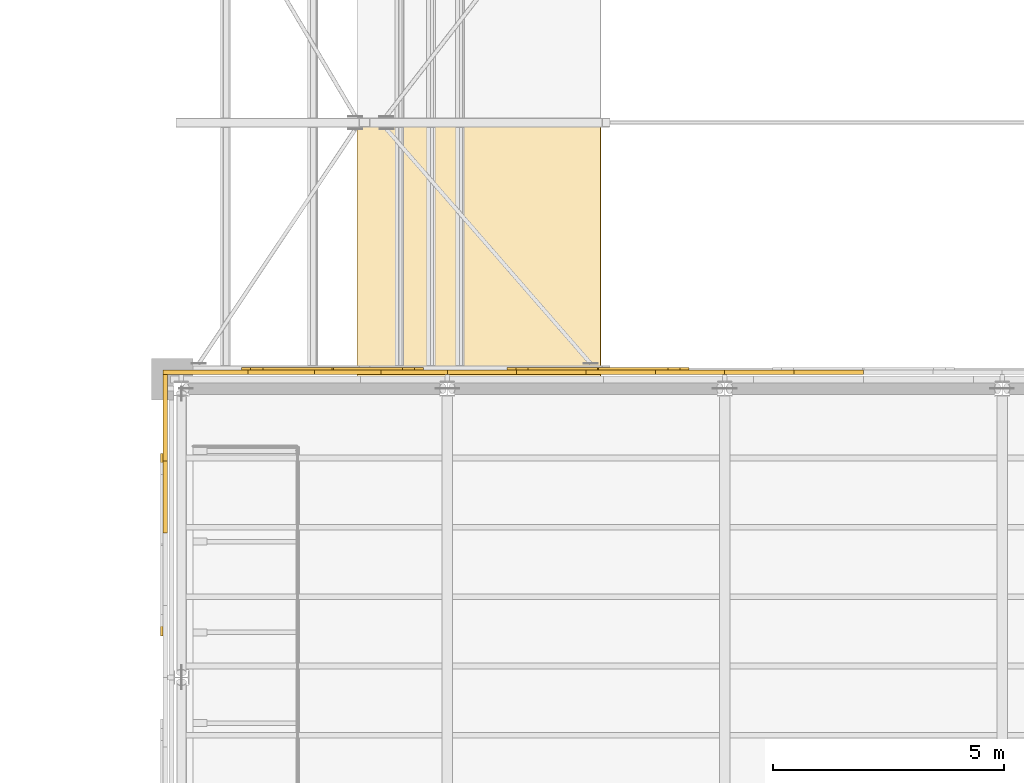
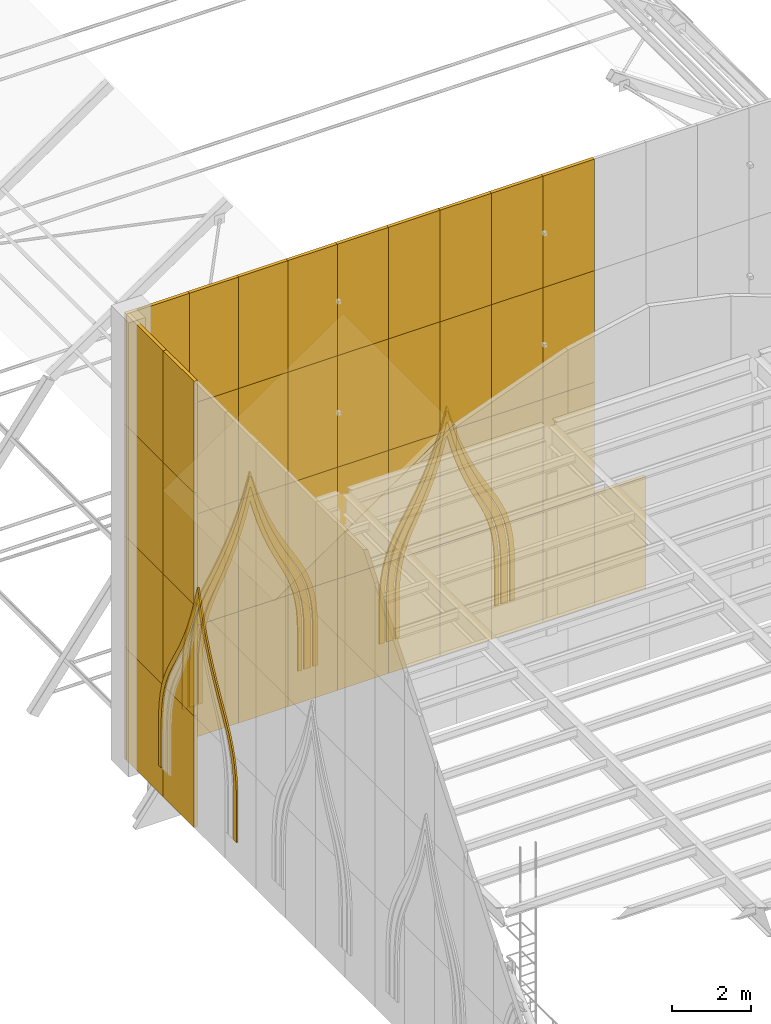
# One storey, part 41 of 43: 53 coverings.
"""IFC4 building model written with IfcOpenShell, lengths in metres."""

import ifcopenshell
import ifcopenshell.guid

model = None  # the IFC model being written
_history = None  # IfcOwnerHistory: only IFC2X3 demands one
_inside = {}  # id of a spatial element -> (the spatial element, [elements in it])
_under = {}  # id of a project, library or spatial element -> (it, [spatial elements below it])
_declared = {}  # id of a project -> (the project, [libraries it declares])
_typed = {}  # id of a type object -> (the type object, [elements of that type])
_made_of = {}  # id of a material, layer set ... -> (it, [elements and type objects made of it])


def new_model(schema):
    """Start an empty IFC model of exactly this schema.

    Asked for "IFC4X3", IfcOpenShell would pick the latest addendum, in which some entities
    have other attributes; the version numbers below select the first issue.
    IFC2X3 requires an IfcOwnerHistory on every rooted entity: one is made here for all.
    """
    global model, _history
    if schema == "IFC4X3":
        model = ifcopenshell.file(schema_version=(4, 3, 0, 0))
    else:
        model = ifcopenshell.file(schema=schema)
    _inside.clear()
    _under.clear()
    _declared.clear()
    _typed.clear()
    _made_of.clear()
    _history = None
    if model.schema == "IFC2X3":
        org = make("IfcOrganization", Name="unknown")
        user = make(
            "IfcPersonAndOrganization",
            ThePerson=make("IfcPerson", FamilyName="unknown"),
            TheOrganization=org,
        )
        app = make(
            "IfcApplication",
            ApplicationDeveloper=org,
            Version="unknown",
            ApplicationFullName="unknown",
            ApplicationIdentifier="unknown",
        )
        _history = make(
            "IfcOwnerHistory",
            OwningUser=user,
            OwningApplication=app,
            ChangeAction="ADDED",
            CreationDate=0,
        )
    return model


def make(cls, **values):
    """One entity of the class cls with the attributes given. An attribute that is None is left unset."""
    return model.create_entity(
        cls, **{name: value for name, value in values.items() if value is not None}
    )


def rooted(cls, **values):
    """An entity with a GlobalId (a new one), such as an element, a storey or a relation."""
    return make(cls, GlobalId=ifcopenshell.guid.new(), OwnerHistory=_history, **values)


def si_unit(unit_type, name, prefix=None):
    """IfcSIUnit, for example si_unit("LENGTHUNIT", "METRE", prefix="MILLI")."""
    return make("IfcSIUnit", UnitType=unit_type, Prefix=prefix, Name=name)


def assignment(units):
    """IfcUnitAssignment: the units of a project."""
    return None if units is None else make("IfcUnitAssignment", Units=units)


def point(xyz):
    """IfcCartesianPoint."""
    return None if xyz is None else make("IfcCartesianPoint", Coordinates=xyz)


def direction(xyz):
    """IfcDirection."""
    return None if xyz is None else make("IfcDirection", DirectionRatios=xyz)


def frame(location, z_axis=None, x_axis=None):
    """IfcAxis2Placement3D, a coordinate frame: its origin and axes. An axis left out is left unset."""
    return make(
        "IfcAxis2Placement3D",
        Location=point(location),
        Axis=direction(z_axis),
        RefDirection=direction(x_axis),
    )


def frame_2d(location, x_axis=None):
    """IfcAxis2Placement2D, a coordinate frame in the plane: its origin and x axis."""
    return make(
        "IfcAxis2Placement2D", Location=point(location), RefDirection=direction(x_axis)
    )


def origin():
    """The frame at (0, 0, 0) with its axes left unset."""
    return frame((0.0, 0.0, 0.0))


def origin_2d():
    """The frame at (0, 0) in the plane with its x axis left unset."""
    return frame_2d((0.0, 0.0))


def place(relative_to, where):
    """IfcLocalPlacement: puts the frame where relative to a parent placement (None: the world)."""
    return make(
        "IfcLocalPlacement", PlacementRelTo=relative_to, RelativePlacement=where
    )


def context(
    kind, dimensions, precision=None, world=None, true_north=None, identifier=None
):
    """IfcGeometricRepresentationContext, for example the 3D "Model" context."""
    return make(
        "IfcGeometricRepresentationContext",
        ContextIdentifier=identifier,
        ContextType=kind,
        CoordinateSpaceDimension=dimensions,
        Precision=precision,
        WorldCoordinateSystem=world,
        TrueNorth=true_north,
    )


def subcontext(parent, identifier, kind, view, scale=None):
    """IfcGeometricRepresentationSubContext, for example "Body" below "Model"."""
    return make(
        "IfcGeometricRepresentationSubContext",
        ContextIdentifier=identifier,
        ContextType=kind,
        ParentContext=parent,
        TargetScale=scale,
        TargetView=view,
    )


def project(units=None, contexts=None):
    """IfcProject with its units and contexts."""
    return rooted(
        "IfcProject",
        Name="project",
        RepresentationContexts=contexts,
        UnitsInContext=assignment(units),
    )


def spatial(cls, under=None, at=None, **own):
    """A site, building, storey or space (cls), placed at a placement, below another one or the project."""
    s = rooted(cls, ObjectPlacement=at, **own)
    if under is not None:
        _under.setdefault(under.id(), (under, []))[1].append(s)
    return s


def polyline(points):
    """IfcPolyline through the points."""
    return make("IfcPolyline", Points=[point(p) for p in points])


def profile(cls, at=None, kind="AREA", **sizes):
    """A parametric profile (cls). Its sizes go by their IFC names, for example OverallWidth=200.0."""
    return make(cls, ProfileType=kind, Position=at, **sizes)


def rectangle(**sizes):
    """IfcRectangleProfileDef."""
    return profile("IfcRectangleProfileDef", **sizes)


def outline(outer, holes=None, kind="AREA"):
    """IfcArbitraryClosedProfileDef: a profile drawn as a closed curve; with holes, ...WithVoids."""
    if holes is None:
        return make("IfcArbitraryClosedProfileDef", ProfileType=kind, OuterCurve=outer)
    return make(
        "IfcArbitraryProfileDefWithVoids",
        ProfileType=kind,
        OuterCurve=outer,
        InnerCurves=holes,
    )


def extrude(swept, where, along, depth):
    """IfcExtrudedAreaSolid: the profile swept, set in the frame where, extruded along a direction by depth."""
    return make(
        "IfcExtrudedAreaSolid",
        SweptArea=swept,
        Position=where,
        ExtrudedDirection=direction(along),
        Depth=depth,
    )


def shape(context_of_items, identifier, shape_type, items):
    """IfcShapeRepresentation: the items that make up one representation, for example the "Body"."""
    return make(
        "IfcShapeRepresentation",
        ContextOfItems=context_of_items,
        RepresentationIdentifier=identifier,
        RepresentationType=shape_type,
        Items=items,
    )


def material(Name=None, Category=None):
    """IfcMaterial."""
    return make("IfcMaterial", Name=Name, Category=Category)


def layer(
    of_material, thickness, ventilated=None, Name=None, Category=None, Priority=None
):
    """IfcMaterialLayer: one layer of a wall or slab, of a material (None: an air gap)."""
    return make(
        "IfcMaterialLayer",
        Material=of_material,
        LayerThickness=thickness,
        IsVentilated=ventilated,
        Name=Name,
        Category=Category,
        Priority=Priority,
    )


def layer_set(layers, Name=None):
    """IfcMaterialLayerSet."""
    return make("IfcMaterialLayerSet", MaterialLayers=layers, LayerSetName=Name)


def made_of(thing, what):
    """Note that an element or type object is made of a material, layer set ...; save() writes the relation."""
    if what is not None:
        _made_of.setdefault(what.id(), (what, []))[1].append(thing)
    return thing


def type_object(cls, material=None, **own):
    """A type object (cls), such as IfcWallType, which elements share."""
    return made_of(rooted(cls, **own), material)


def element(
    cls,
    number,
    at=None,
    inside=None,
    cuts=None,
    type_object=None,
    material=None,
    context=None,
    identifier="Body",
    shape_type=None,
    held_by="IfcProductDefinitionShape",
    body=None,
    shapes=None,
    **own,
):
    """One element of the class cls, such as IfcWall. Its Tag is "e" and its number.

    at: its placement. inside: the storey or other place that contains it. cuts: it is an
    opening in that element (IfcRelVoidsElement). A single representation is given by context,
    identifier, shape_type and body (its items); several are given by shapes. held_by: the class
    of the entity that holds the representations. save() writes the other relations.
    """
    e = rooted(cls, Tag="e%d" % number, ObjectPlacement=at, **own)
    if body is not None:
        shapes = [shape(context, identifier, shape_type, body)]
    if shapes is not None:
        e.Representation = make(held_by, Representations=shapes)
    if inside is not None:
        _inside.setdefault(inside.id(), (inside, []))[1].append(e)
    if cuts is not None:
        rooted(
            "IfcRelVoidsElement", RelatingBuildingElement=cuts, RelatedOpeningElement=e
        )
    if type_object is not None:
        _typed.setdefault(type_object.id(), (type_object, []))[1].append(e)
    return made_of(e, material)


def aggregate(whole, parts):
    """IfcRelAggregates: a whole, such as a stair, and the parts it consists of."""
    return rooted("IfcRelAggregates", RelatingObject=whole, RelatedObjects=parts)


def save(model, path):
    """Write the relations noted so far, then the file.

    IfcRelAggregates (storeys below a building ...), IfcRelContainedInSpatialStructure (elements
    in a storey), IfcRelDefinesByType, IfcRelAssociatesMaterial and IfcRelDeclares: one each for
    every whole, place, type object, material and project.
    """
    for whole, parts in _under.values():
        aggregate(whole, parts)
    for where, things in _inside.values():
        rooted(
            "IfcRelContainedInSpatialStructure",
            RelatedElements=things,
            RelatingStructure=where,
        )
    for kind, things in _typed.values():
        rooted("IfcRelDefinesByType", RelatedObjects=things, RelatingType=kind)
    for what, things in _made_of.values():
        rooted("IfcRelAssociatesMaterial", RelatedObjects=things, RelatingMaterial=what)
    for by, libraries in _declared.values():
        rooted("IfcRelDeclares", RelatingContext=by, RelatedDefinitions=libraries)
    model.write(path)


model = new_model("IFC4")

# Units and contexts
model_context = context("Model", 3, precision=1e-05, world=origin(), true_north=direction((0.0, 1.0)))
body_context = subcontext(model_context, "Body", "Model", "MODEL_VIEW")
ifc_project = project(units=[si_unit("LENGTHUNIT", "METRE"), si_unit("AREAUNIT", "SQUARE_METRE"), si_unit("VOLUMEUNIT", "CUBIC_METRE"), si_unit("PLANEANGLEUNIT", "RADIAN"), si_unit("MASSUNIT", "GRAM", prefix="KILO")], contexts=[model_context])

# Site, building, storey
site_placement = place(None, origin())
site = spatial("IfcSite", under=ifc_project, at=site_placement, CompositionType="ELEMENT")
building_placement = place(site_placement, origin())
building = spatial("IfcBuilding", under=site, at=building_placement, Name="Saffron Lane Theatres", CompositionType="ELEMENT")
storey_placement = place(building_placement, frame((0.0, 0.0, 23.0)))
storey = spatial("IfcBuildingStorey", under=building, at=storey_placement, Name="Roof", CompositionType="ELEMENT", Elevation=23.0)

# Coverings
ifc_material_1 = material(Name="Masonry sandstone", Category="masonry")
ifc_layer_1 = layer(ifc_material_1, 0.050048828125)
ifc_layer_set_1 = layer_set([ifc_layer_1], Name="Masonry sandstone")
covering_type_1 = type_object("IfcCoveringType", Name="EX-ARCH FRAME RING SANDSTONE 50", PredefinedType="CLADDING", material=ifc_layer_set_1)
covering_1_placement = place(storey_placement, frame((20.01904296875, 54.64990234375, 2.5810546875), z_axis=(0.0, -1.0, 0.0), x_axis=(-0.023756941085, 0.0, -0.999717764047)))
element("IfcCovering", 1, at=covering_1_placement, inside=storey, type_object=covering_type_1, Name="Tower arch recess ring", PredefinedType="CLADDING", context=body_context, shape_type="SweptSolid", body=[
    extrude(outline(polyline([(0.0, 0.0), (0.38023426890641177, 0.0), (1.5808230582972993, 0.028530369433181012), (1.5779752413849812, 0.1483695838245056), (0.3793390257519973, 0.11988561466688172), (0.0032539760811303733, 0.1199842152524406), (-0.32637530581117835, 0.13828144283302546), (-0.6163538279053677, 0.17339453784549674), (-0.8754217718364463, 0.223162125291944), (-1.1121042476919079, 0.2866489888075911), (-1.3349147654903566, 0.3624317685881858), (-1.550146989634977, 0.4481630182605264), (-1.7663318302477076, 0.5431515931795744), (-1.990779838851797, 0.6467353488725149), (-2.231510581991929, 0.7572584538842472), (-2.4952710673040963, 0.8708974314542522), (-2.79112674862527, 0.9889021106265061), (-3.1241045314843876, 1.1070014714421268), (-3.503014197929794, 1.2259629995400585), (-3.934846827317219, 1.341957418125338), (-4.195372931259218, 1.4017029459088173), (-3.9379788459173244, 1.4737561467838212), (-3.5121376521112118, 1.6098878146878255), (-3.139312221798232, 1.7469575205949843), (-2.812320074485982, 1.8807401745489096), (-2.522403628436119, 2.012664936388298), (-2.264338776948588, 2.138704387600942), (-2.0291238665653077, 2.2602934880599834), (-1.8098552887202812, 2.374665778093016), (-1.5984206763177105, 2.4795719416393345), (-1.3875094778343462, 2.5756741231717535), (-1.168550182907138, 2.661954965297145), (-0.9351505265473425, 2.7366126951531675), (-0.6787389983919088, 2.7986299553466933), (-0.3907556881466753, 2.84747753192407), (-0.06236181359107471, 2.881167580647665), (0.3132940335308889, 2.899130287322713), (1.5119302491638729, 2.927614256480337), (1.5090766322171103, 3.0476975425913997), (0.3084878428262229, 3.0191671731582184), (-0.07131722353128557, 3.0011058658976117), (-0.406516106067325, 2.9660330576108778), (-0.7025305829261318, 2.9160177930178754), (-0.9679263644363119, 2.8518333577919948), (-1.2093339872719022, 2.775031653041396), (-1.4341046031972635, 2.6866590363314287), (-1.6498508357998292, 2.588488280352214), (-1.8644061802489915, 2.4813100708804736), (-2.0836805581284623, 2.367181852567179), (-2.3179423817705693, 2.246592239124868), (-2.5740488594657522, 2.120355116468043), (-2.8591534715341926, 1.9914752159544027), (-3.1820195997486764, 1.858767449464988), (-3.550992082855851, 1.7239871895865848), (-3.9717309706852455, 1.5889536092848697), (-4.619702510682907, 1.4074929478614444), (-4.618942706170659, 1.3755195525757753), (-3.9630831193282883, 1.2250426751556132), (-3.536404996227583, 1.1101468144456859), (-3.1614468775735407, 0.9930450595545434), (-2.832664714225525, 0.8767996719112675), (-2.5417426676091113, 0.7608756375277622), (-2.2799289560204032, 0.646946187962462), (-2.040203499931446, 0.5376202414116408), (-1.8157554913273564, 0.43403648571870035), (-1.5963513180824758, 0.33717073748952914), (-1.3761854592330949, 0.24935884302844), (-1.1474708198853787, 0.1717626903166131), (-0.9026875770030083, 0.10651465417973567), (-0.6345425791660692, 0.05500909424983662), (-0.33648069014830473, 0.01886704177534876), (0.0, 0.0)])), origin(), (0.0, 0.0, -1.0), 0.050048828125),
])
covering_2_placement = place(storey_placement, frame((19.760986328125, 54.64990234375, 2.60107421875), z_axis=(0.0, -1.0, 0.0), x_axis=(-0.027445423218, 0.0, -0.999623303422)))
element("IfcCovering", 2, at=covering_2_placement, inside=storey, type_object=covering_type_1, Name="Tower arch recess ring", PredefinedType="CLADDING", context=body_context, shape_type="SweptSolid", body=[
    extrude(outline(polyline([(0.0, 0.0), (0.4002972749886543, 0.0), (1.60077262399574, 0.03295996992392853), (1.5952848794607335, 0.23283582087672447), (0.39676191971814384, 0.19992945529501824), (0.005521247248895529, 0.1992011807455482), (-0.3350186515351066, 0.21989201014049903), (-0.6362744592205554, 0.25973462870481856), (-0.9050192333481872, 0.3163449833181706), (-1.1499851212660126, 0.3875294651760587), (-1.3804526725231665, 0.473277502310989), (-1.604171139292633, 0.5711782394315141), (-1.8304143705807694, 0.6809770559120782), (-2.0656912736419164, 0.7995644532009369), (-2.31924889531132, 0.9257096160402862), (-2.59691090066858, 1.058031488113149), (-2.907850630578386, 1.1926147189230394), (-3.2586775004367463, 1.3300105397891429), (-3.657581955933325, 1.4660863537280224), (-4.111370557322747, 1.5996783509096524), (-4.280569238825531, 1.642169768484506), (-4.1139502662921945, 1.6936370842635309), (-3.668175514065004, 1.851927282124079), (-3.2773452126156575, 2.0099301011499358), (-2.9345857962617514, 2.166368864590507), (-2.6315192041158437, 2.3185428070034924), (-2.361515919153593, 2.4651685510955206), (-2.1152618891119763, 2.605036425543775), (-1.8868463418552817, 2.7363548541104272), (-1.666968626206042, 2.8584022627887835), (-1.4489590218832489, 2.968430982337101), (-1.2235436798805455, 3.0666956333809354), (-0.9828527382549475, 3.151214195366617), (-0.7176190485428754, 3.2224853375777642), (-0.4190032547118743, 3.2787978902898818), (-0.08011168945120746, 3.318143030778188), (0.31057953851026243, 3.338883295288744), (1.509102498252852, 3.37178966087045), (1.5036147537178453, 3.571665511823246), (0.3031394047107597, 3.5387055418993176), (-0.0965548214278939, 3.516741162673736), (-0.4495744066850469, 3.4760311960720696), (-0.762047369683361, 3.4173843231571226), (-1.042087621023883, 3.342775863939786), (-1.2967926734187447, 3.2527436486536896), (-1.5340256882681536, 3.1490256491944417), (-1.7609578842547968, 3.0348442310343535), (-1.985662968723055, 2.910710422235945), (-2.215027908440886, 2.778388996865934), (-2.45838015675687, 2.6395777235632614), (-2.724538968075129, 2.4952556260782357), (-3.020357806449731, 2.345967235187266), (-3.3563910690623455, 2.1936208654734655), (-3.7392615723945344, 2.039255845572144), (-4.177280371905962, 1.8831324543449808), (-4.9520084443458074, 1.6437619663494585), (-4.9509095553302505, 1.603737986427287), (-4.164214313489279, 1.4072375711240381), (-3.7182888735000645, 1.2753835458380154), (-3.327518430232866, 1.142015197884213), (-2.983638832027465, 1.0085805890073858), (-2.680074166201742, 0.8757487311786581), (-2.4063973458868078, 0.7462482343180951), (-2.1557951102852595, 0.6209988595976605), (-1.9195152104207531, 0.5014620698476648), (-1.688337401629154, 0.3898448749581602), (-1.455481925826948, 0.28828727939142085), (-1.2129152789264217, 0.19774254703329958), (-0.9536538574426654, 0.12182167483722059), (-0.6699417086599169, 0.06269146943656922), (-0.3547215231227106, 0.02127839254608732), (0.0, 0.0)])), origin(), (0.0, 0.0, -1.0), 0.050048828125),
])
covering_3_placement = place(storey_placement, frame((19.56201171875, 54.64990234375, 2.617919921875), z_axis=(0.0, -1.0, 0.0), x_axis=(-0.028676726094, 0.0, -0.999588738122)))
element("IfcCovering", 3, at=covering_3_placement, inside=storey, type_object=covering_type_1, Name="Tower arch recess ring", PredefinedType="CLADDING", context=body_context, shape_type="SweptSolid", body=[
    extrude(outline(polyline([(0.0, 0.0), (0.41716375104764425, 0.0), (1.6175975896273929, 0.034438675696960006), (1.6135859284819654, 0.1742737213375772), (0.4151044116563614, 0.1398910548712689), (0.005017826967491893, 0.1400940883323813), (-0.35494549711227735, 0.16396102174383417), (-0.671332639580196, 0.2098385826365695), (-0.9552924378304503, 0.274720275522391), (-1.2138740536064891, 0.35742690606311395), (-1.4567760852945528, 0.4554820661320671), (-1.6930000163922352, 0.5676505521604138), (-1.930822210893157, 0.6929622042600804), (-2.1777379040563147, 0.8287595844696103), (-2.441974451798508, 0.972364251366053), (-2.733495496186741, 1.1220249163267102), (-3.056888793310287, 1.2759002758939073), (-3.4235612230902626, 1.4314649138641529), (-3.8400458622162548, 1.5865774773298524), (-4.314828109131995, 1.7390406041527604), (-4.631415284566527, 1.825944926497861), (-4.320331016043524, 1.9308562164974814), (-3.8550703383385714, 2.1102877878791797), (-3.448163277654019, 2.289022244372231), (-3.091012417084831, 2.4653523046065917), (-2.776972661480118, 2.637514677981567), (-2.4945111101497965, 2.8036420567538216), (-2.238934989697121, 2.96191514109201), (-2.0002176476706053, 3.111888857645417), (-1.769970701615325, 3.250628722793827), (-1.5405658943494862, 3.3761554103326024), (-1.3036848549564797, 3.487974838834209), (-1.0502700907080593, 3.585369890113339), (-0.7704969824490192, 3.666424248349837), (-0.4572603592052583, 3.730364786127743), (-0.09925035704446691, 3.7745850738920885), (0.31014311341508793, 3.7985420221385167), (1.5086246302406918, 3.8329246886048254), (1.5046129690952643, 3.9727597342454426), (0.30417913051551565, 3.9383210585484822), (-0.11229850745664535, 3.9144051170602094), (-0.47930999311503036, 3.8689496257270277), (-0.8044415767184447, 3.8024696694379667), (-1.094136320121499, 3.718199781263162), (-1.358448880391006, 3.6175611954303997), (-1.6042403882817973, 3.5013340405094713), (-1.839634182568035, 3.3717276806166194), (-2.073485722681685, 3.2309304764065927), (-2.312447104927469, 3.0809497586993544), (-2.5680512299954703, 2.923652835238239), (-2.845408940182656, 2.7584046013542487), (-3.155635067278889, 2.589526769291062), (-3.507717092474098, 2.415296055041307), (-3.9078820420189535, 2.239930153706022), (-4.367097723472856, 2.062625932924255), (-5.082416612246459, 1.8220432834840707), (-5.081898526862931, 1.803984307258232), (-4.353963558885034, 1.6048064815773124), (-3.885338326681647, 1.4541206476627628), (-3.4757708275411385, 1.3017405345209991), (-3.114286252750276, 1.148225234293706), (-2.794881612980997, 0.9971663388964227), (-2.50851341781272, 0.8483348105823771), (-2.244311875839684, 0.7059503447822748), (-1.9971451413034267, 0.5699159255073083), (-1.7556063342828319, 0.44275696896096894), (-1.5131973838574695, 0.3278350291471916), (-1.2611188398260256, 0.2249140671653726), (-0.991471400336945, 0.1395940059158483), (-0.6974219392507215, 0.0720708777058996), (-0.36901381565418306, 0.024340011377493066), (0.0, 0.0)])), origin(), (0.0, 0.0, -1.0), 0.050048828125),
])
covering_4_placement = place(storey_placement, frame((25.759033203125, 54.64990234375, 2.5810546875), z_axis=(0.0, -1.0, 0.0), x_axis=(-0.023756941085, 0.0, -0.999717764047)))
element("IfcCovering", 4, at=covering_4_placement, inside=storey, type_object=covering_type_1, Name="Tower arch recess ring", PredefinedType="CLADDING", context=body_context, shape_type="SweptSolid", body=[
    extrude(outline(polyline([(0.0, 0.0), (0.38023426890641177, 0.0), (1.5808230582972993, 0.028530369433181012), (1.5779694413505367, 0.14861365554424355), (0.3793332257175527, 0.12012968638661965), (0.0032539760811303733, 0.1199842152524406), (-0.32637530581117835, 0.13828144283302546), (-0.6163538279053677, 0.17339453784549674), (-0.8754217718364463, 0.223162125291944), (-1.1121042476919079, 0.2866489888075911), (-1.3349147654903566, 0.3624317685881858), (-1.550146989634977, 0.4481630182605264), (-1.7663318302477076, 0.5431515931795744), (-1.990779838851797, 0.6467353488725149), (-2.231510581991929, 0.7572584538842472), (-2.4952710673040963, 0.8708974314542522), (-2.79112674862527, 0.9889021106265061), (-3.1241045314843876, 1.1070014714421268), (-3.503019997964239, 1.2262070712597966), (-3.934846827317219, 1.341957418125338), (-4.195372931259218, 1.4017029459088173), (-3.9379788459173244, 1.4737561467838212), (-3.5121376521112118, 1.6098878146878255), (-3.139312221798232, 1.7469575205949843), (-2.812320074485982, 1.8807401745489096), (-2.522403628436119, 2.012664936388298), (-2.264338776948588, 2.138704387600942), (-2.0291238665653077, 2.2602934880599834), (-1.8098552887202812, 2.374665778093016), (-1.5984206763177105, 2.4795719416393345), (-1.3875094778343462, 2.5756741231717535), (-1.168550182907138, 2.661954965297145), (-0.9351505265473425, 2.7366126951531675), (-0.6787389983919088, 2.7986299553466933), (-0.3907556881466753, 2.84747753192407), (-0.062367613625519354, 2.881411652367403), (0.3132940335308889, 2.899130287322713), (1.5119302491638729, 2.927614256480337), (1.5090766322171103, 3.0476975425913997), (0.3084878428262229, 3.0191671731582184), (-0.07131722353128557, 3.0011058658976117), (-0.406516106067325, 2.9660330576108778), (-0.7025305829261318, 2.9160177930178754), (-0.9679263644363119, 2.8518333577919948), (-1.2093339872719022, 2.775031653041396), (-1.4341046031972635, 2.6866590363314287), (-1.6498508357998292, 2.588488280352214), (-1.8644061802489915, 2.4813100708804736), (-2.0836805581284623, 2.367181852567179), (-2.3179423817705693, 2.246592239124868), (-2.5740488594657522, 2.120355116468043), (-2.8591592715686374, 1.9917192876741407), (-3.182025399783121, 1.859011521184726), (-3.550992082855851, 1.7239871895865848), (-3.9717309706852455, 1.5889536092848697), (-4.619702510682907, 1.4074929478614444), (-4.618942706170659, 1.3755195525757753), (-3.9630831193282883, 1.2250426751556132), (-3.536404996227583, 1.1101468144456859), (-3.1614468775735407, 0.9930450595545434), (-2.832664714225525, 0.8767996719112675), (-2.5417426676091113, 0.7608756375277622), (-2.2799289560204032, 0.646946187962462), (-2.040203499931446, 0.5376202414116408), (-1.8157554913273564, 0.43403648571870035), (-1.5963513180824758, 0.33717073748952914), (-1.3761854592330949, 0.24935884302844), (-1.1474708198853787, 0.1717626903166131), (-0.9026875770030083, 0.10651465417973567), (-0.6345425791660692, 0.05500909424983662), (-0.33648069014830473, 0.01886704177534876), (0.0, 0.0)])), origin(), (0.0, 0.0, -1.0), 0.050048828125),
])
covering_5_placement = place(storey_placement, frame((25.5009765625, 54.64990234375, 2.60107421875), z_axis=(0.0, -1.0, 0.0), x_axis=(-0.027445423218, 0.0, -0.999623303422)))
element("IfcCovering", 5, at=covering_5_placement, inside=storey, type_object=covering_type_1, Name="Tower arch recess ring", PredefinedType="CLADDING", context=body_context, shape_type="SweptSolid", body=[
    extrude(outline(polyline([(0.0, 0.0), (0.4002972749886543, 0.0), (1.60077262399574, 0.03295996992392853), (1.5952848794607335, 0.23283582087672447), (0.39676191971814384, 0.19992945529501824), (0.005521247248895529, 0.1992011807455482), (-0.3350186515351066, 0.21989201014049903), (-0.6362744592205554, 0.25973462870481856), (-0.9050192333481872, 0.3163449833181706), (-1.1499851212660126, 0.3875294651760587), (-1.3804526725231665, 0.473277502310989), (-1.604171139292633, 0.5711782394315141), (-1.8304143705807694, 0.6809770559120782), (-2.0656912736419164, 0.7995644532009369), (-2.31924889531132, 0.9257096160402862), (-2.59691090066858, 1.058031488113149), (-2.907850630578386, 1.1926147189230394), (-3.2586775004367463, 1.3300105397891429), (-3.657581955933325, 1.4660863537280224), (-4.111370557322747, 1.5996783509096524), (-4.280569238825531, 1.642169768484506), (-4.1139502662921945, 1.6936370842635309), (-3.668175514065004, 1.851927282124079), (-3.2773452126156575, 2.0099301011499358), (-2.9345857962617514, 2.166368864590507), (-2.6315259046586217, 2.3187868556615543), (-2.361515919153593, 2.4651685510955206), (-2.1152618891119763, 2.605036425543775), (-1.8868463418552817, 2.7363548541104272), (-1.666968626206042, 2.8584022627887835), (-1.4489590218832489, 2.968430982337101), (-1.2235436798805455, 3.0666956333809354), (-0.9828527382549475, 3.151214195366617), (-0.7176190485428754, 3.2224853375777642), (-0.4190032547118743, 3.2787978902898818), (-0.08011168945120746, 3.318143030778188), (0.31057953851026243, 3.338883295288744), (1.509102498252852, 3.37178966087045), (1.5036147537178453, 3.571665511823246), (0.3031394047107597, 3.5387055418993176), (-0.0965548214278939, 3.516741162673736), (-0.4495744066850469, 3.4760311960720696), (-0.762047369683361, 3.4173843231571226), (-1.042087621023883, 3.342775863939786), (-1.2967926734187447, 3.2527436486536896), (-1.5340256882681536, 3.1490256491944417), (-1.7609578842547968, 3.0348442310343535), (-1.985662968723055, 2.910710422235945), (-2.215027908440886, 2.778388996865934), (-2.45838015675687, 2.6395777235632614), (-2.724538968075129, 2.4952556260782357), (-3.020357806449731, 2.345967235187266), (-3.3563910690623455, 2.1936208654734655), (-3.7392615723945344, 2.039255845572144), (-4.177280371905962, 1.8831324543449808), (-4.9520084443458074, 1.6437619663494585), (-4.9509095553302505, 1.603737986427287), (-4.164214313489279, 1.4072375711240381), (-3.7182888735000645, 1.2753835458380154), (-3.327518430232866, 1.142015197884213), (-2.983638832027465, 1.0085805890073858), (-2.680074166201742, 0.8757487311786581), (-2.4063973458868078, 0.7462482343180951), (-2.1557951102852595, 0.6209988595976605), (-1.9195152104207531, 0.5014620698476648), (-1.688337401629154, 0.3898448749581602), (-1.455481925826948, 0.28828727939142085), (-1.2129152789264217, 0.19774254703329958), (-0.9536538574426654, 0.12182167483722059), (-0.6699417086599169, 0.06269146943656922), (-0.3547215231227106, 0.02127839254608732), (0.0, 0.0)])), origin(), (0.0, 0.0, -1.0), 0.050048828125),
])
covering_6_placement = place(storey_placement, frame((25.302001953125, 54.64990234375, 2.617919921875), z_axis=(0.0, -1.0, 0.0), x_axis=(-0.028676726094, 0.0, -0.999588738122)))
element("IfcCovering", 6, at=covering_6_placement, inside=storey, type_object=covering_type_1, Name="Tower arch recess ring", PredefinedType="CLADDING", context=body_context, shape_type="SweptSolid", body=[
    extrude(outline(polyline([(0.0, 0.0), (0.41716375104764425, 0.0), (1.6175975896273929, 0.034438675696960006), (1.6135859284819654, 0.1742737213375772), (0.4151044116563614, 0.1398910548712689), (0.005017826967491893, 0.1400940883323813), (-0.35494549711227735, 0.16396102174383417), (-0.671332639580196, 0.2098385826365695), (-0.9552924378304503, 0.274720275522391), (-1.2138740536064891, 0.35742690606311395), (-1.4567760852945528, 0.4554820661320671), (-1.6930000163922352, 0.5676505521604138), (-1.930822210893157, 0.6929622042600804), (-2.177744905210146, 0.8290036246888783), (-2.441974451798508, 0.972364251366053), (-2.733495496186741, 1.1220249163267102), (-3.056888793310287, 1.2759002758939073), (-3.4235612230902626, 1.4314649138641529), (-3.8400458622162548, 1.5865774773298524), (-4.314828109131995, 1.7390406041527604), (-4.631415284566527, 1.825944926497861), (-4.320331016043524, 1.9308562164974814), (-3.8550703383385714, 2.1102877878791797), (-3.448163277654019, 2.289022244372231), (-3.091012417084831, 2.4653523046065917), (-2.776972661480118, 2.637514677981567), (-2.4945111101497965, 2.8036420567538216), (-2.238934989697121, 2.96191514109201), (-2.0002176476706053, 3.111888857645417), (-1.769970701615325, 3.250628722793827), (-1.5405658943494862, 3.3761554103326024), (-1.3036848549564797, 3.487974838834209), (-1.0502700907080593, 3.585369890113339), (-0.7704969824490192, 3.666424248349837), (-0.4572603592052583, 3.730364786127743), (-0.09925035704446691, 3.7745850738920885), (0.31014311341508793, 3.7985420221385167), (1.5086246302406918, 3.8329246886048254), (1.5046129690952643, 3.9727597342454426), (0.30417913051551565, 3.9383210585484822), (-0.11229850745664535, 3.9144051170602094), (-0.47930999311503036, 3.8689496257270277), (-0.8044415767184447, 3.8024696694379667), (-1.094136320121499, 3.718199781263162), (-1.358448880391006, 3.6175611954303997), (-1.6042403882817973, 3.5013340405094713), (-1.839634182568035, 3.3717276806166194), (-2.073485722681685, 3.2309304764065927), (-2.312447104927469, 3.0809497586993544), (-2.5680512299954703, 2.923652835238239), (-2.8454159413364875, 2.758648641573517), (-3.155635067278889, 2.589526769291062), (-3.507717092474098, 2.415296055041307), (-3.9078820420189535, 2.239930153706022), (-4.367097723472856, 2.062625932924255), (-5.082416612246459, 1.8220432834840707), (-5.081898526862931, 1.803984307258232), (-4.353963558885034, 1.6048064815773124), (-3.885338326681647, 1.4541206476627628), (-3.4757708275411385, 1.3017405345209991), (-3.114286252750276, 1.148225234293706), (-2.794881612980997, 0.9971663388964227), (-2.50851341781272, 0.8483348105823771), (-2.244311875839684, 0.7059503447822748), (-1.9971451413034267, 0.5699159255073083), (-1.7556063342828319, 0.44275696896096894), (-1.5131973838574695, 0.3278350291471916), (-1.2611188398260256, 0.2249140671653726), (-0.991471400336945, 0.1395940059158483), (-0.6974219392507215, 0.0720708777058996), (-0.36901381565418306, 0.024340011377493066), (0.0, 0.0)])), origin(), (0.0, 0.0, -1.0), 0.050048828125),
])
covering_7_placement = place(storey_placement, frame((17.85009765625, 52.85009765625, 2.200927734375), z_axis=(1.0, 0.0, 0.0), x_axis=(0.0, -0.029193159722, 0.999573788885)))
element("IfcCovering", 7, at=covering_7_placement, inside=storey, type_object=covering_type_1, Name="Tower arch recess ring", PredefinedType="CLADDING", context=body_context, shape_type="SweptSolid", body=[
    extrude(outline(polyline([(0.0, 0.0), (0.41814696888594205, 1.734723475976807e-18), (0.789125603111909, 0.02409233927534542), (1.117551215790607, 0.07140949062843514), (1.4138389798139064, 0.13896058063500577), (1.684291082572596, 0.22509608173497841), (1.9373917861109122, 0.3276142481028278), (2.179867205832405, 0.44265496857998693), (2.421715713852443, 0.5696819899102323), (2.6709334990761593, 0.7065078207405595), (2.935237077657832, 0.849731914106464), (3.2226582746838943, 0.9983869615027009), (3.5441217178941016, 1.1501999447411422), (3.9056855581096905, 1.3035284634979691), (4.3175565678342815, 1.4566089544329384), (4.787967845306298, 1.607002762387233), (5.517225804189668, 1.8057688377505887), (5.517753219672928, 1.8238275438974325), (4.8013385405305815, 2.0648153668666795), (4.340506268592379, 2.242406708390198), (3.938271282291685, 2.4192636594894568), (3.58627219313739, 2.5934322170713386), (3.274245210735792, 2.7647236519196716), (2.995961130595407, 2.9289234866890266), (2.740466816031439, 3.087328593289325), (2.499659169594852, 3.238465914530292), (2.2656363669885993, 3.379391046568081), (2.0303166924724265, 3.5093630419210733), (1.7836019926233202, 3.625501641871766), (1.518637861785045, 3.72727429932679), (1.2267974931881596, 3.8120020287206327), (0.9016931726067514, 3.878405918778749), (0.5327529279512241, 3.9241080383952593), (0.11531868269130997, 3.9485116953504535), (-1.0850972029347026, 3.9835705705147646), (-1.0891882365481025, 3.8434935795919487), (0.10927535652149442, 3.80849172231772), (0.5208598513484222, 3.7845031556023243), (0.8786029227496011, 3.7401050351319944), (1.1939956712027533, 3.6756944905111526), (1.4737268653934252, 3.5944955983344995), (1.7278305136182879, 3.4971922881935713), (1.9656013872290956, 3.3842458348191324), (2.1961258571893527, 3.2573448230259685), (2.426057056003304, 3.1184931465610197), (2.665924192342985, 2.968604517112854), (2.923363672227109, 2.8098983560529214), (3.2054668106452016, 2.6426560466687783), (3.5215853968391, 2.4692911562476056), (3.8796212551058513, 2.292748088633249), (4.28765610118571, 2.113767791307328), (4.753527614249379, 1.9330983389877205), (5.066509931399305, 1.8279693234330057), (4.7479256065488, 1.7412855953198925), (4.272332543226111, 1.5890891667706482), (3.8545191289971497, 1.4332512906713022), (3.4867902294164193, 1.277904623695015), (3.161092637688706, 1.123284364638375), (2.8697098376597303, 0.9727910604658873), (2.603446839285382, 0.8293799484205129), (2.3552408365211748, 0.6937457914929044), (2.1175979680736017, 0.5685498997026498), (1.8800602976332301, 0.4553189270567006), (1.6361029829485005, 0.356441638060052), (1.3767536888360727, 0.2741340330107499), (1.092760407361754, 0.20939905659534055), (0.774146148118956, 0.1635050717787033), (0.41442170503741954, 0.14006102591359282), (0.0021387410569844428, 0.14013400881289806), (-1.1963248520126126, 0.17513586608712695), (-1.2004158856260125, 0.03505887516431111), (0.0, 0.0)])), origin(), (0.0, 0.0, -1.0), 0.050048828125),
])
ifc_material_2 = material(Name="Masonry perforated pale clay brick", Category="masonry")
ifc_layer_2 = layer(ifc_material_2, 0.10009765625)
ifc_layer_set_2 = layer_set([ifc_layer_2], Name="Masonry perforated pale clay brick")
covering_type_2 = type_object("IfcCoveringType", Name="EX-CLADDING PANEL PERFORATED BRICK 100", PredefinedType="CLADDING", material=ifc_layer_set_2)
for number, where, z_axis, x_axis, name in (
    (8, (18.768798828125, 54.60009765625, 0.10009765625), (0.0, 0.0, 1.0), (1.0, 0.0, 0.0), "Tower panel N81"),
    (9, (18.768798828125, 54.60009765625, 3.53759765625), (0.0, 0.0, 1.0), (1.0, 0.0, 0.0), "Tower panel N82"),
    (10, (18.768798828125, 54.60009765625, 6.97509765625), (0.0, 0.0, 1.0), (1.0, 0.0, 0.0), "Tower panel N83"),
    (11, (18.768798828125, 54.60009765625, 10.41259765625), (0.0, 0.0, 1.0), (1.0, 0.0, 0.0), "Tower panel N84"),
):
    element("IfcCovering", number, at=place(storey_placement, frame(where, z_axis=z_axis, x_axis=x_axis)), inside=storey, type_object=covering_type_2, Name=name, PredefinedType="CLADDING", context=body_context, shape_type="SweptSolid", body=[
        extrude(rectangle(XDim=1.83740234375, YDim=0.10009765625, at=origin_2d()), origin(), (0.0, 0.0, 1.0), 3.4375),
    ])
for number, where, z_axis, x_axis, name in (
    (12, (20.40625, 54.60009765625, 0.10009765625), (0.0, 0.0, 1.0), (1.0, 0.0, 0.0), "Tower panel N85"),
    (13, (20.40625, 54.60009765625, 3.53759765625), (0.0, 0.0, 1.0), (1.0, 0.0, 0.0), "Tower panel N86"),
    (14, (20.40625, 54.60009765625, 6.97509765625), (0.0, 0.0, 1.0), (1.0, 0.0, 0.0), "Tower panel N87"),
    (15, (20.40625, 54.60009765625, 10.41259765625), (0.0, 0.0, 1.0), (1.0, 0.0, 0.0), "Tower panel N88"),
    (16, (21.84375, 54.60009765625, 0.10009765625), (0.0, 0.0, 1.0), (1.0, 0.0, 0.0), "Tower panel N89"),
    (17, (21.84375, 54.60009765625, 3.53759765625), (0.0, 0.0, 1.0), (1.0, 0.0, 0.0), "Tower panel N90"),
    (18, (21.84375, 54.60009765625, 6.97509765625), (0.0, 0.0, 1.0), (1.0, 0.0, 0.0), "Tower panel N91"),
    (19, (21.84375, 54.60009765625, 10.41259765625), (0.0, 0.0, 1.0), (1.0, 0.0, 0.0), "Tower panel N92"),
    (20, (23.28125, 54.60009765625, 0.10009765625), (0.0, 0.0, 1.0), (1.0, 0.0, 0.0), "Tower panel N93"),
    (21, (23.28125, 54.60009765625, 3.53759765625), (0.0, 0.0, 1.0), (1.0, 0.0, 0.0), "Tower panel N94"),
    (22, (23.28125, 54.60009765625, 6.97509765625), (0.0, 0.0, 1.0), (1.0, 0.0, 0.0), "Tower panel N95"),
    (23, (23.28125, 54.60009765625, 10.41259765625), (0.0, 0.0, 1.0), (1.0, 0.0, 0.0), "Tower panel N96"),
):
    element("IfcCovering", number, at=place(storey_placement, frame(where, z_axis=z_axis, x_axis=x_axis)), inside=storey, type_object=covering_type_2, Name=name, PredefinedType="CLADDING", context=body_context, shape_type="SweptSolid", body=[
        extrude(rectangle(XDim=1.4375, YDim=0.10009765625, at=origin_2d()), origin(), (0.0, 0.0, 1.0), 3.4375),
    ])
for number, where, z_axis, x_axis, name in (
    (24, (24.75, 54.60009765625, 0.10009765625), (0.0, 0.0, 1.0), (1.0, 0.0, 0.0), "Tower panel N97"),
    (25, (24.75, 54.60009765625, 3.53759765625), (0.0, 0.0, 1.0), (1.0, 0.0, 0.0), "Tower panel N98"),
    (26, (24.75, 54.60009765625, 6.97509765625), (0.0, 0.0, 1.0), (1.0, 0.0, 0.0), "Tower panel N99"),
    (27, (24.75, 54.60009765625, 10.41259765625), (0.0, 0.0, 1.0), (1.0, 0.0, 0.0), "Tower panel N100"),
    (28, (26.25, 54.60009765625, 0.10009765625), (0.0, 0.0, 1.0), (1.0, 0.0, 0.0), "Tower panel N101"),
    (29, (26.25, 54.60009765625, 3.53759765625), (0.0, 0.0, 1.0), (1.0, 0.0, 0.0), "Tower panel N102"),
    (30, (26.25, 54.60009765625, 6.97509765625), (0.0, 0.0, 1.0), (1.0, 0.0, 0.0), "Tower panel N103"),
    (31, (26.25, 54.60009765625, 10.41259765625), (0.0, 0.0, 1.0), (1.0, 0.0, 0.0), "Tower panel N104"),
    (32, (27.75, 54.60009765625, 0.10009765625), (0.0, 0.0, 1.0), (1.0, 0.0, 0.0), "Tower panel N105"),
    (33, (27.75, 54.60009765625, 3.53759765625), (0.0, 0.0, 1.0), (1.0, 0.0, 0.0), "Tower panel N106"),
    (34, (27.75, 54.60009765625, 6.97509765625), (0.0, 0.0, 1.0), (1.0, 0.0, 0.0), "Tower panel N107"),
    (35, (27.75, 54.60009765625, 10.41259765625), (0.0, 0.0, 1.0), (1.0, 0.0, 0.0), "Tower panel N108"),
    (36, (29.25, 54.60009765625, 0.10009765625), (0.0, 0.0, 1.0), (1.0, 0.0, 0.0), "Tower panel N109"),
    (37, (29.25, 54.60009765625, 3.53759765625), (0.0, 0.0, 1.0), (1.0, 0.0, 0.0), "Tower panel N110"),
    (38, (29.25, 54.60009765625, 6.97509765625), (0.0, 0.0, 1.0), (1.0, 0.0, 0.0), "Tower panel N111"),
    (39, (29.25, 54.60009765625, 10.41259765625), (0.0, 0.0, 1.0), (1.0, 0.0, 0.0), "Tower panel N112"),
    (40, (30.75, 54.60009765625, 0.10009765625), (0.0, 0.0, 1.0), (1.0, 0.0, 0.0), "Tower panel N113"),
    (41, (30.75, 54.60009765625, 3.53759765625), (0.0, 0.0, 1.0), (1.0, 0.0, 0.0), "Tower panel N114"),
    (42, (30.75, 54.60009765625, 6.97509765625), (0.0, 0.0, 1.0), (1.0, 0.0, 0.0), "Tower panel N115"),
    (43, (30.75, 54.60009765625, 10.41259765625), (0.0, 0.0, 1.0), (1.0, 0.0, 0.0), "Tower panel N116"),
    (44, (32.25, 54.60009765625, 0.10009765625), (0.0, 0.0, 1.0), (1.0, 0.0, 0.0), "Tower panel N117"),
):
    element("IfcCovering", number, at=place(storey_placement, frame(where, z_axis=z_axis, x_axis=x_axis)), inside=storey, type_object=covering_type_2, Name=name, PredefinedType="CLADDING", context=body_context, shape_type="SweptSolid", body=[
        extrude(rectangle(XDim=1.5, YDim=0.10009765625, at=origin_2d()), origin(), (0.0, 0.0, 1.0), 3.4375),
    ])
for number, where, z_axis, x_axis, name in (
    (45, (17.89990234375, 51.90625, 0.10009765625), (0.0, 0.0, 1.0), (0.0, 1.0, 0.0), "Tower panel W217"),
    (46, (17.89990234375, 51.90625, 3.53759765625), (0.0, 0.0, 1.0), (0.0, 1.0, 0.0), "Tower panel W218"),
    (47, (17.89990234375, 51.90625, 6.97509765625), (0.0, 0.0, 1.0), (0.0, 1.0, 0.0), "Tower panel W219"),
    (48, (17.89990234375, 51.90625, 10.41259765625), (0.0, 0.0, 1.0), (0.0, 1.0, 0.0), "Tower panel W220"),
):
    element("IfcCovering", number, at=place(storey_placement, frame(where, z_axis=z_axis, x_axis=x_axis)), inside=storey, type_object=covering_type_2, Name=name, PredefinedType="CLADDING", context=body_context, shape_type="SweptSolid", body=[
        extrude(rectangle(XDim=1.5625, YDim=0.10009765625, at=origin_2d()), origin(), (0.0, 0.0, 1.0), 3.4375),
    ])
for number, where, z_axis, x_axis, name in (
    (49, (17.89990234375, 53.61865234375, 0.10009765625), (0.0, 0.0, 1.0), (0.0, 1.0, 0.0), "Tower panel W221"),
    (50, (17.89990234375, 53.61865234375, 3.53759765625), (0.0, 0.0, 1.0), (0.0, 1.0, 0.0), "Tower panel W222"),
    (51, (17.89990234375, 53.61865234375, 6.97509765625), (0.0, 0.0, 1.0), (0.0, 1.0, 0.0), "Tower panel W223"),
    (52, (17.89990234375, 53.61865234375, 10.41259765625), (0.0, 0.0, 1.0), (0.0, 1.0, 0.0), "Tower panel W224"),
):
    element("IfcCovering", number, at=place(storey_placement, frame(where, z_axis=z_axis, x_axis=x_axis)), inside=storey, type_object=covering_type_2, Name=name, PredefinedType="CLADDING", context=body_context, shape_type="SweptSolid", body=[
        extrude(rectangle(XDim=1.862548828125, YDim=0.10009765625, at=origin_2d()), origin(), (0.0, 0.0, 1.0), 3.4375),
    ])
ifc_material_3 = material(Name="Zinc standing seam roofing", Category="metal")
ifc_layer_3 = layer(ifc_material_3, 0.02001953125)
ifc_layer_set_3 = layer_set([ifc_layer_3], Name="Zinc standing seam roofing")
covering_type_3 = type_object("IfcCoveringType", Name="ST-ZINC ROOFING", PredefinedType="ROOFING", material=ifc_layer_set_3)
covering_8_placement = place(storey_placement, frame((22.05126953125, 54.375, 3.63818359375), z_axis=(-0.567360520868, 0.0, 0.823469513315), x_axis=(0.823469513315, 0.0, 0.567360520868)))
element("IfcCovering", 53, at=covering_8_placement, inside=storey, type_object=covering_type_3, Name="VZ1B", PredefinedType="ROOFING", context=body_context, shape_type="SweptSolid", body=[
    extrude(outline(polyline([(0.0, 0.0), (6.388805223575968, 0.0), (6.388805223575968, 5.625), (0.0, 5.625), (0.0, 0.0)])), origin(), (0.0, 0.0, -1.0), 0.02001953125),
])

save(model, "model.ifc")
